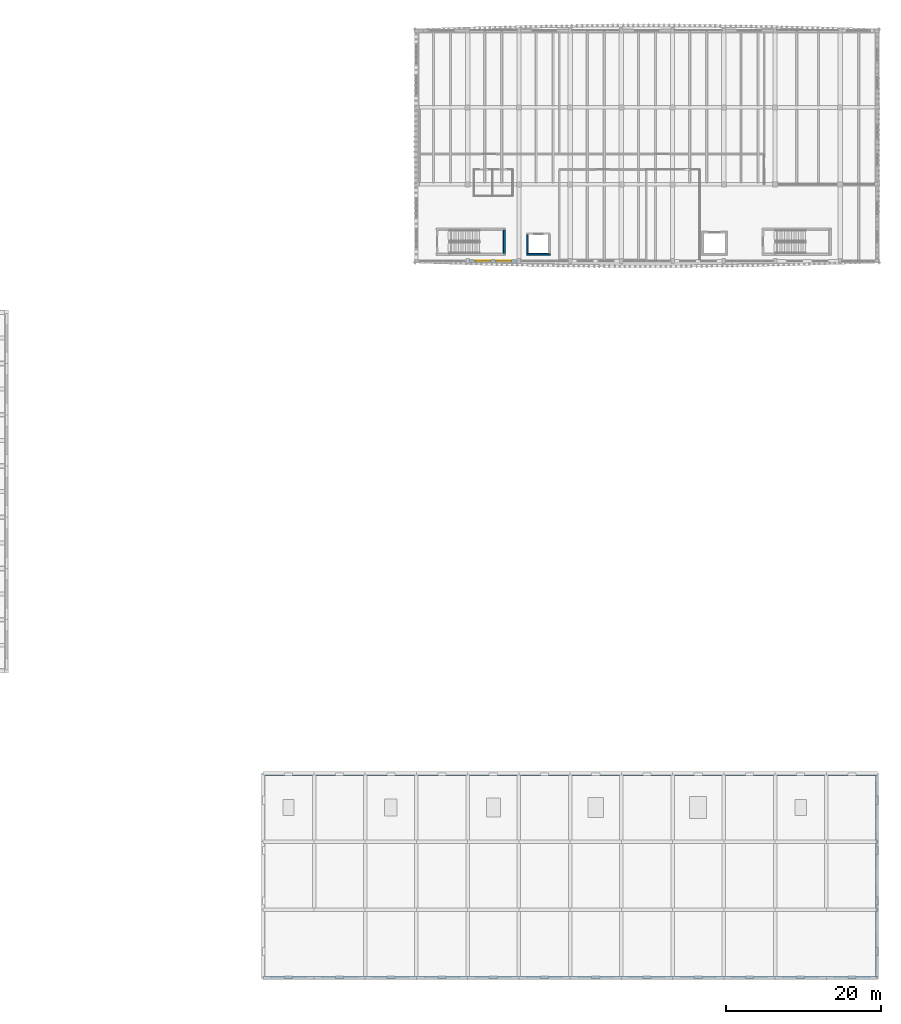
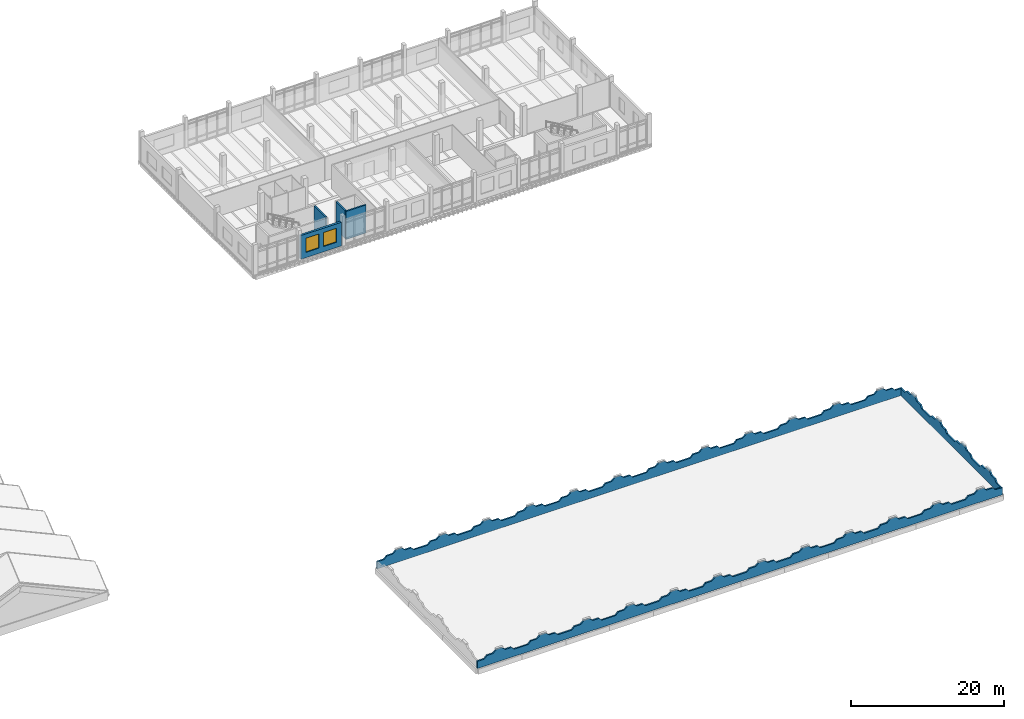
# One storey, part 31 of 50: 7 walls, 2 windows, 2 openings.
"""IFC4 building model written with IfcOpenShell, lengths in metres."""

from ifc_helpers import new_model, si_unit, direction, frame, frame_2d, origin, place, context, subcontext, project, spatial, polyline, rectangle, outline, extrude, material, layer, layer_set, type_object, element, fill, save


model = new_model("IFC4")

# Units and contexts
model_context = context("Model", 3, precision=1e-05, world=origin(), true_north=direction((0.0, 1.0)))
body_context = subcontext(model_context, "Body", "Model", "MODEL_VIEW")
ifc_project = project(units=[si_unit("LENGTHUNIT", "METRE"), si_unit("AREAUNIT", "SQUARE_METRE"), si_unit("VOLUMEUNIT", "CUBIC_METRE"), si_unit("PLANEANGLEUNIT", "RADIAN"), si_unit("MASSUNIT", "GRAM", prefix="KILO")], contexts=[model_context])

# Site, building, storey
site_placement = place(None, origin())
site = spatial("IfcSite", under=ifc_project, at=site_placement, CompositionType="ELEMENT")
building_placement = place(site_placement, origin())
building = spatial("IfcBuilding", under=site, at=building_placement, Name="Dornvale Research Institute", CompositionType="ELEMENT")
storey_placement = place(building_placement, frame((0.0, 0.0, 19.800048828125)))
storey = spatial("IfcBuildingStorey", under=building, at=storey_placement, Name="L04", CompositionType="ELEMENT", Elevation=19.800048828125)

# Walls
ifc_material_1 = material(Name="Concrete f'c 40 MPa (C32/40)", Category="concrete")
ifc_layer_1 = layer(ifc_material_1, 0.219970703125)
ifc_layer_set_1 = layer_set([ifc_layer_1], Name="Concrete f'c 40 MPa (C32/40)")
wall_type_1 = type_object("IfcWallType", Name="Parapet_Roof_220", PredefinedType="PARAPET", material=ifc_layer_set_1)
wall_1_placement = place(storey_placement, frame((99.0, 0.110107421875, 0.0), z_axis=(0.0, 0.0, 1.0), x_axis=(1.0, 0.0, 0.0)))
element("IfcWall", 1, at=wall_1_placement, inside=storey, type_object=wall_type_1, Name="L04 V3-L04 parapet S", PredefinedType="PARAPET", context=body_context, shape_type="SweptSolid", body=[
    extrude(outline(polyline([(0.0, 0.0), (79.199951171875, 0.0), (79.199951171875, 1.14990234375), (78.14404296875, 1.14990234375), (77.748046875, 1.579833984375), (76.823974609375, 1.579833984375), (76.2958984375, 2.050048828125), (75.50390625, 2.050048828125), (74.97607421875, 1.579833984375), (74.052001953125, 1.579833984375), (73.656005859375, 1.14990234375), (72.60009765625, 1.14990234375), (71.5439453125, 1.14990234375), (71.14794921875, 1.579833984375), (70.22412109375, 1.579833984375), (69.696044921875, 2.050048828125), (68.904052734375, 2.050048828125), (68.3759765625, 1.579833984375), (67.451904296875, 1.579833984375), (67.055908203125, 1.14990234375), (66.0, 1.14990234375), (64.944091796875, 1.14990234375), (64.548095703125, 1.579833984375), (63.6240234375, 1.579833984375), (63.095947265625, 2.050048828125), (62.303955078125, 2.050048828125), (61.77587890625, 1.579833984375), (60.85205078125, 1.579833984375), (60.4560546875, 1.14990234375), (59.39990234375, 1.14990234375), (58.343994140625, 1.14990234375), (57.947998046875, 1.579833984375), (57.02392578125, 1.579833984375), (56.49609375, 2.050048828125), (55.7041015625, 2.050048828125), (55.176025390625, 1.579833984375), (54.251953125, 1.579833984375), (53.85595703125, 1.14990234375), (52.800048828125, 1.14990234375), (51.743896484375, 1.14990234375), (51.347900390625, 1.579833984375), (50.424072265625, 1.579833984375), (49.89599609375, 2.050048828125), (49.10400390625, 2.050048828125), (48.575927734375, 1.579833984375), (47.652099609375, 1.579833984375), (47.256103515625, 1.14990234375), (46.199951171875, 1.14990234375), (45.14404296875, 1.14990234375), (44.748046875, 1.579833984375), (43.823974609375, 1.579833984375), (43.2958984375, 2.050048828125), (42.50390625, 2.050048828125), (41.97607421875, 1.579833984375), (41.052001953125, 1.579833984375), (40.656005859375, 1.14990234375), (39.60009765625, 1.14990234375), (38.5439453125, 1.14990234375), (38.14794921875, 1.579833984375), (37.22412109375, 1.579833984375), (36.696044921875, 2.050048828125), (35.904052734375, 2.050048828125), (35.3759765625, 1.579833984375), (34.451904296875, 1.579833984375), (34.055908203125, 1.14990234375), (33.0, 1.14990234375), (31.944091796875, 1.14990234375), (31.548095703125, 1.579833984375), (30.6240234375, 1.579833984375), (30.095947265625, 2.050048828125), (29.303955078125, 2.050048828125), (28.77587890625, 1.579833984375), (27.85205078125, 1.579833984375), (27.4560546875, 1.14990234375), (26.39990234375, 1.14990234375), (25.343994140625, 1.14990234375), (24.947998046875, 1.579833984375), (24.02392578125, 1.579833984375), (23.49609375, 2.050048828125), (22.7041015625, 2.050048828125), (22.176025390625, 1.579833984375), (21.251953125, 1.579833984375), (20.85595703125, 1.14990234375), (19.800048828125, 1.14990234375), (18.743896484375, 1.14990234375), (18.347900390625, 1.579833984375), (17.424072265625, 1.579833984375), (16.89599609375, 2.050048828125), (16.10400390625, 2.050048828125), (15.575927734375, 1.579833984375), (14.652099609375, 1.579833984375), (14.256103515625, 1.14990234375), (13.199951171875, 1.14990234375), (12.14404296875, 1.14990234375), (11.748046875, 1.579833984375), (10.823974609375, 1.579833984375), (10.2958984375, 2.050048828125), (9.50390625, 2.050048828125), (8.97607421875, 1.579833984375), (8.052001953125, 1.579833984375), (7.656005859375, 1.14990234375), (6.60009765625, 1.14990234375), (5.5439453125, 1.14990234375), (5.14794921875, 1.579833984375), (4.22412109375, 1.579833984375), (3.696044921875, 2.050048828125), (2.904052734375, 2.050048828125), (2.3759765625, 1.579833984375), (1.451904296875, 1.579833984375), (1.055908203125, 1.14990234375), (0.0, 1.14990234375), (0.0, 0.0)])), frame((0.0, 0.10986328125, 0.0), z_axis=(0.0, -1.0, 0.0), x_axis=(1.0, 0.0, 0.0)), (0.0, 0.0, 1.0), 0.219970703125),
])
wall_2_placement = place(storey_placement, frame((99.0, 26.2900390625, 0.0), z_axis=(0.0, 0.0, 1.0), x_axis=(1.0, 0.0, 0.0)))
element("IfcWall", 2, at=wall_2_placement, inside=storey, type_object=wall_type_1, Name="L04 V3-L04 parapet N", PredefinedType="PARAPET", context=body_context, shape_type="SweptSolid", body=[
    extrude(outline(polyline([(0.0, 0.0), (79.199951171875, 0.0), (79.199951171875, 1.14990234375), (78.14404296875, 1.14990234375), (77.748046875, 1.579833984375), (76.823974609375, 1.579833984375), (76.2958984375, 2.050048828125), (75.50390625, 2.050048828125), (74.97607421875, 1.579833984375), (74.052001953125, 1.579833984375), (73.656005859375, 1.14990234375), (72.60009765625, 1.14990234375), (71.5439453125, 1.14990234375), (71.14794921875, 1.579833984375), (70.22412109375, 1.579833984375), (69.696044921875, 2.050048828125), (68.904052734375, 2.050048828125), (68.3759765625, 1.579833984375), (67.451904296875, 1.579833984375), (67.055908203125, 1.14990234375), (66.0, 1.14990234375), (64.944091796875, 1.14990234375), (64.548095703125, 1.579833984375), (63.6240234375, 1.579833984375), (63.095947265625, 2.050048828125), (62.303955078125, 2.050048828125), (61.77587890625, 1.579833984375), (60.85205078125, 1.579833984375), (60.4560546875, 1.14990234375), (59.39990234375, 1.14990234375), (58.343994140625, 1.14990234375), (57.947998046875, 1.579833984375), (57.02392578125, 1.579833984375), (56.49609375, 2.050048828125), (55.7041015625, 2.050048828125), (55.176025390625, 1.579833984375), (54.251953125, 1.579833984375), (53.85595703125, 1.14990234375), (52.800048828125, 1.14990234375), (51.743896484375, 1.14990234375), (51.347900390625, 1.579833984375), (50.424072265625, 1.579833984375), (49.89599609375, 2.050048828125), (49.10400390625, 2.050048828125), (48.575927734375, 1.579833984375), (47.652099609375, 1.579833984375), (47.256103515625, 1.14990234375), (46.199951171875, 1.14990234375), (45.14404296875, 1.14990234375), (44.748046875, 1.579833984375), (43.823974609375, 1.579833984375), (43.2958984375, 2.050048828125), (42.50390625, 2.050048828125), (41.97607421875, 1.579833984375), (41.052001953125, 1.579833984375), (40.656005859375, 1.14990234375), (39.60009765625, 1.14990234375), (38.5439453125, 1.14990234375), (38.14794921875, 1.579833984375), (37.22412109375, 1.579833984375), (36.696044921875, 2.050048828125), (35.904052734375, 2.050048828125), (35.3759765625, 1.579833984375), (34.451904296875, 1.579833984375), (34.055908203125, 1.14990234375), (33.0, 1.14990234375), (31.944091796875, 1.14990234375), (31.548095703125, 1.579833984375), (30.6240234375, 1.579833984375), (30.095947265625, 2.050048828125), (29.303955078125, 2.050048828125), (28.77587890625, 1.579833984375), (27.85205078125, 1.579833984375), (27.4560546875, 1.14990234375), (26.39990234375, 1.14990234375), (25.343994140625, 1.14990234375), (24.947998046875, 1.579833984375), (24.02392578125, 1.579833984375), (23.49609375, 2.050048828125), (22.7041015625, 2.050048828125), (22.176025390625, 1.579833984375), (21.251953125, 1.579833984375), (20.85595703125, 1.14990234375), (19.800048828125, 1.14990234375), (18.743896484375, 1.14990234375), (18.347900390625, 1.579833984375), (17.424072265625, 1.579833984375), (16.89599609375, 2.050048828125), (16.10400390625, 2.050048828125), (15.575927734375, 1.579833984375), (14.652099609375, 1.579833984375), (14.256103515625, 1.14990234375), (13.199951171875, 1.14990234375), (12.14404296875, 1.14990234375), (11.748046875, 1.579833984375), (10.823974609375, 1.579833984375), (10.2958984375, 2.050048828125), (9.50390625, 2.050048828125), (8.97607421875, 1.579833984375), (8.052001953125, 1.579833984375), (7.656005859375, 1.14990234375), (6.60009765625, 1.14990234375), (5.5439453125, 1.14990234375), (5.14794921875, 1.579833984375), (4.22412109375, 1.579833984375), (3.696044921875, 2.050048828125), (2.904052734375, 2.050048828125), (2.3759765625, 1.579833984375), (1.451904296875, 1.579833984375), (1.055908203125, 1.14990234375), (0.0, 1.14990234375), (0.0, 0.0)])), frame((0.0, 0.10986328125, 0.0), z_axis=(0.0, -1.0, 0.0), x_axis=(1.0, 0.0, 0.0)), (0.0, 0.0, 1.0), 0.219970703125),
])
wall_3_placement = place(storey_placement, frame((178.090087890625, 0.219970703125, 0.0), z_axis=(0.0, 0.0, 1.0), x_axis=(0.0, 1.0, 0.0)))
element("IfcWall", 3, at=wall_3_placement, inside=storey, type_object=wall_type_1, Name="L04 V3-L04 parapet E", PredefinedType="PARAPET", context=body_context, shape_type="SweptSolid", body=[
    extrude(outline(polyline([(0.0, 0.0), (25.9599609375, 0.0), (25.9599609375, 1.14990234375), (24.921630859375, 1.14990234375), (24.5322265625, 1.579833984375), (23.62353515625, 1.579833984375), (23.1044921875, 2.050048828125), (22.32568359375, 2.050048828125), (21.806396484375, 1.579833984375), (20.897705078125, 1.579833984375), (20.50830078125, 1.14990234375), (19.469970703125, 1.14990234375), (18.431640625, 1.14990234375), (18.042236328125, 1.579833984375), (17.133544921875, 1.579833984375), (16.614501953125, 2.050048828125), (15.835693359375, 2.050048828125), (15.31640625, 1.579833984375), (14.40771484375, 1.579833984375), (14.018310546875, 1.14990234375), (12.97998046875, 1.14990234375), (11.941650390625, 1.14990234375), (11.55224609375, 1.579833984375), (10.6435546875, 1.579833984375), (10.12451171875, 2.050048828125), (9.345703125, 2.050048828125), (8.826416015625, 1.579833984375), (7.917724609375, 1.579833984375), (7.5283203125, 1.14990234375), (6.489990234375, 1.14990234375), (5.45166015625, 1.14990234375), (5.062255859375, 1.579833984375), (4.153564453125, 1.579833984375), (3.634521484375, 2.050048828125), (2.855712890625, 2.050048828125), (2.33642578125, 1.579833984375), (1.427734375, 1.579833984375), (1.038330078125, 1.14990234375), (0.0, 1.14990234375), (0.0, 0.0)])), frame((0.0, 0.10986328125, 0.0), z_axis=(0.0, -1.0, 0.0), x_axis=(1.0, 0.0, 0.0)), (0.0, 0.0, 1.0), 0.219970703125),
])
ifc_material_2 = material(Name="Concrete f'c 45 MPa (C35/45)", Category="concrete")
ifc_layer_2 = layer(ifc_material_2, 0.25)
ifc_layer_set_2 = layer_set([ifc_layer_2], Name="Concrete f'c 45 MPa (C35/45)")
wall_type_2 = type_object("IfcWallType", Name="ShearWall_Core_250", PredefinedType="SHEAR", material=ifc_layer_set_2)
wall_4_placement = place(storey_placement, frame((130.125, 93.39990234375, 0.0), z_axis=(0.0, 0.0, 1.0), x_axis=(0.0, 1.0, 0.0)))
element("IfcWall", 4, at=wall_4_placement, inside=storey, type_object=wall_type_2, Name="L04 ST-3 shaft shear wall east", PredefinedType="SHEAR", context=body_context, shape_type="SweptSolid", body=[
    extrude(rectangle(XDim=3.0, YDim=0.25, at=frame_2d((1.5, 0.0))), origin(), (0.0, 0.0, 1.0), 4.47998046875),
])
ifc_material_3 = material(Name="Concrete f'c 45 MPa (C35/45)", Category="concrete")
ifc_layer_3 = layer(ifc_material_3, 0.219970703125)
ifc_layer_set_3 = layer_set([ifc_layer_3], Name="Concrete f'c 45 MPa (C35/45)")
wall_type_3 = type_object("IfcWallType", Name="ShearWall_Shaft_220", PredefinedType="SHEAR", material=ifc_layer_set_3)
wall_5_placement = place(storey_placement, frame((132.97998046875, 93.2900390625, 0.0), z_axis=(0.0, 0.0, 1.0), x_axis=(1.0, 0.0, 0.0)))
element("IfcWall", 5, at=wall_5_placement, inside=storey, type_object=wall_type_3, Name="L04 LP2 elevator shaft wall south", PredefinedType="SHEAR", context=body_context, shape_type="SweptSolid", body=[
    extrude(rectangle(XDim=3.0400390625, YDim=0.219970703125, at=frame_2d((1.52001953125, 0.0))), origin(), (0.0, 0.0, 1.0), 4.47998046875),
])
wall_6_placement = place(storey_placement, frame((133.090087890625, 93.39990234375, 0.0), z_axis=(0.0, 0.0, 1.0), x_axis=(0.0, 1.0, 0.0)))
element("IfcWall", 6, at=wall_6_placement, inside=storey, type_object=wall_type_3, Name="L04 LP2 elevator shaft wall west", PredefinedType="SHEAR", context=body_context, shape_type="SweptSolid", body=[
    extrude(rectangle(XDim=2.400146484375, YDim=0.219970703125, at=frame_2d((1.2001953125, 0.0))), origin(), (0.0, 0.0, 1.0), 4.47998046875),
])

# Wall, openings, windows
ifc_material_4 = material(Name="Catalan Pressed Brick and Insulated Cavity Assembly", Category="masonry")
ifc_layer_4 = layer(ifc_material_4, 0.320068359375)
ifc_layer_set_4 = layer_set([ifc_layer_4], Name="Catalan Pressed Brick and Insulated Cavity Assembly")
wall_type_4 = type_object("IfcWallType", Name="StandardWall_BrickCavity_320", PredefinedType="STANDARD", material=ifc_layer_set_4)
wall_7_placement = place(storey_placement, frame((131.77490234375, 92.39990234375, 0.0), z_axis=(0.0, 0.0, 1.0), x_axis=(-1.0, 0.0, 0.0)))
wall_7 = element("IfcWall", 7, at=wall_7_placement, inside=storey, type_object=wall_type_4, Name="L04 V4 south exterior wall #260", PredefinedType="STANDARD", context=body_context, shape_type="SweptSolid", body=[
    extrude(rectangle(XDim=6.14990234375, YDim=0.320068359375, at=frame_2d((3.074951171875, 0.0))), origin(), (0.0, 0.0, 1.0), 3.780029296875),
])
opening_1_placement = place(wall_7_placement, frame((0.75, 0.0, 0.85009765625)))
opening_1 = element("IfcOpeningElement", 8, at=opening_1_placement, cuts=wall_7, Name="Opening W-42", PredefinedType="OPENING", context=body_context, shape_type="SweptSolid", body=[
    extrude(rectangle(XDim=1.949951171875, YDim=2.239990234375, at=frame_2d((0.97509765625, 1.1201171875))), frame((0.0, 0.175048828125, 0.0), z_axis=(0.0, -1.0, 0.0), x_axis=(1.0, 0.0, 0.0)), (0.0, 0.0, 1.0), 0.35009765625),
])
opening_2_placement = place(wall_7_placement, frame((3.449951171875, 0.0, 0.85009765625)))
opening_2 = element("IfcOpeningElement", 9, at=opening_2_placement, cuts=wall_7, Name="Opening W-42", PredefinedType="OPENING", context=body_context, shape_type="SweptSolid", body=[
    extrude(rectangle(XDim=1.949951171875, YDim=2.239990234375, at=frame_2d((0.97509765625, 1.1201171875))), frame((0.0, 0.175048828125, 0.0), z_axis=(0.0, -1.0, 0.0), x_axis=(1.0, 0.0, 0.0)), (0.0, 0.0, 1.0), 0.35009765625),
])
ifc_material_5 = material(Name="Low-E Argon Double Insulating Glazing Unit", Category="glass")
window_type = type_object("IfcWindowType", Name="Window_Alu_1950x2240_42", PartitioningType="DOUBLE_PANEL_VERTICAL", PredefinedType="WINDOW", material=ifc_material_5)
window_1_placement = place(opening_1_placement, origin())
window_1 = element("IfcWindow", 10, at=window_1_placement, inside=storey, type_object=window_type, Name="L04 V4 facade window W-42 #355", OverallHeight=2.239990234375, OverallWidth=1.949951171875, PartitioningType="DOUBLE_PANEL_VERTICAL", PredefinedType="WINDOW", context=body_context, shape_type="SweptSolid", body=[
    extrude(rectangle(XDim=1.949951171875, YDim=2.239990234375, at=frame_2d((0.97509765625, 1.1201171875))), frame((0.0, 0.030029296875, 0.0), z_axis=(0.0, -1.0, 0.0), x_axis=(1.0, 0.0, 0.0)), (0.0, 0.0, 1.0), 0.06005859375),
])
fill(opening_1, window_1)
window_2_placement = place(opening_2_placement, origin())
window_2 = element("IfcWindow", 11, at=window_2_placement, inside=storey, type_object=window_type, Name="L04 V4 facade window W-42 #356", OverallHeight=2.239990234375, OverallWidth=1.949951171875, PartitioningType="DOUBLE_PANEL_VERTICAL", PredefinedType="WINDOW", context=body_context, shape_type="SweptSolid", body=[
    extrude(rectangle(XDim=1.949951171875, YDim=2.239990234375, at=frame_2d((0.97509765625, 1.1201171875))), frame((0.0, 0.030029296875, 0.0), z_axis=(0.0, -1.0, 0.0), x_axis=(1.0, 0.0, 0.0)), (0.0, 0.0, 1.0), 0.06005859375),
])
fill(opening_2, window_2)

save(model, "model.ifc")
